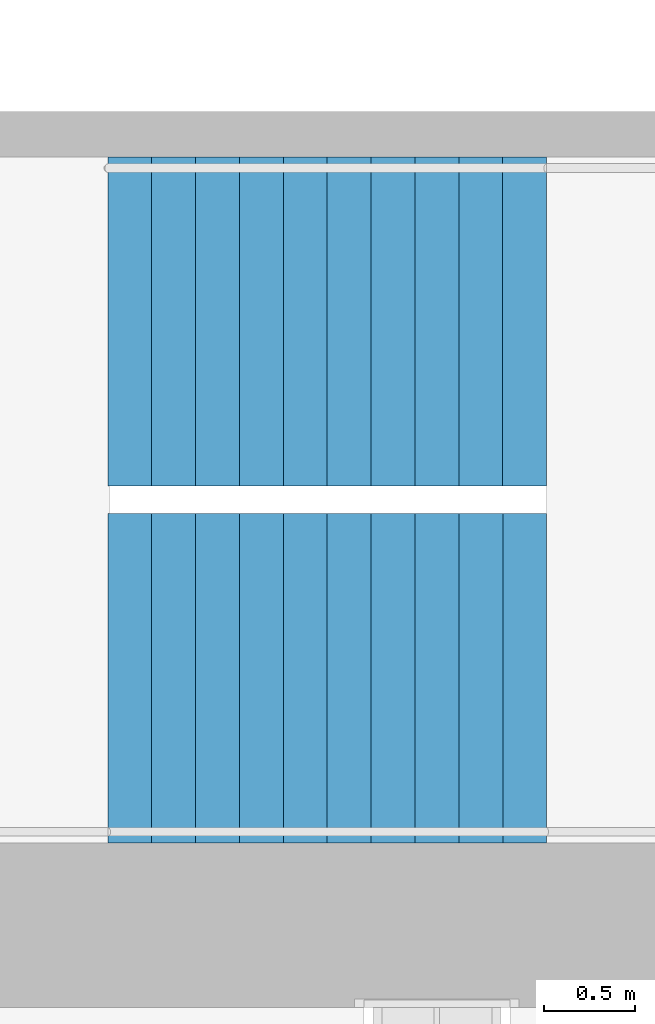
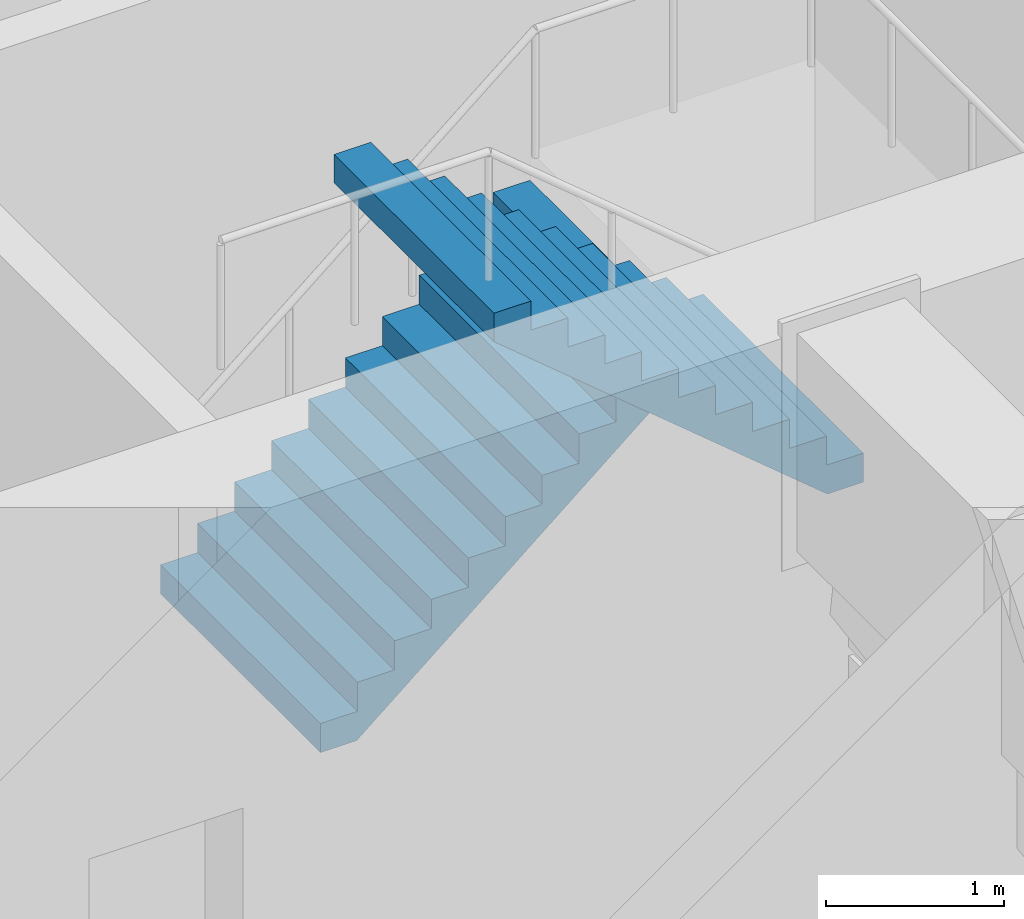
# One storey, part 27 of 30: 2 stair flights, 1 element without a shape of its own.
"""IFC4 building model written with IfcOpenShell, lengths in metres."""

from ifc_helpers import new_model, si_unit, direction, frame, origin, place, context, subcontext, project, spatial, triangles, material, type_object, element, aggregate, save


model = new_model("IFC4")

# Units and contexts
model_context = context("Model", 3, precision=1e-05, world=origin(), true_north=direction((0.0, 1.0)))
body_context = subcontext(model_context, "Body", "Model", "MODEL_VIEW")
ifc_project = project(units=[si_unit("LENGTHUNIT", "METRE"), si_unit("AREAUNIT", "SQUARE_METRE"), si_unit("VOLUMEUNIT", "CUBIC_METRE"), si_unit("PLANEANGLEUNIT", "RADIAN"), si_unit("MASSUNIT", "GRAM", prefix="KILO")], contexts=[model_context])

# Site, building, storey
site_placement = place(None, origin())
site = spatial("IfcSite", under=ifc_project, at=site_placement, CompositionType="ELEMENT")
building_placement = place(site_placement, origin())
building = spatial("IfcBuilding", under=site, at=building_placement, Name="Hakoniwa Tower and Hamabe Station Hall", CompositionType="ELEMENT")
storey_placement = place(building_placement, frame((0.0, 0.0, 64.60009765625)))
storey = spatial("IfcBuildingStorey", under=building, at=storey_placement, Name="L18", CompositionType="ELEMENT", Elevation=64.60009765625)

# Stair, stair flights
ifc_material_1 = material(Name="Concrete C40", Category="concrete")
stair_type = type_object("IfcStairType", Name="ESCAPE STAIR 1800", PredefinedType="HALF_TURN_STAIR", material=ifc_material_1)
stair_placement = place(storey_placement, origin())
stair = element("IfcStair", 1, at=stair_placement, inside=storey, type_object=stair_type, Name="Escape stair ST-4 L18", PredefinedType="HALF_TURN_STAIR")
ifc_material_2 = material(Name="Concrete C40", Category="concrete")
stair_flight_type = type_object("IfcStairFlightType", Name="STAIR FLIGHT 1800", PredefinedType="STRAIGHT", material=ifc_material_2)
stair_flight_1_placement = place(storey_placement, frame((23.39990234375, -4.64990234375, 0.0), z_axis=(0.0, 0.0, 1.0), x_axis=(1.0, 0.0, 0.0)))
stair_flight_1 = element("IfcStairFlight", 2, at=stair_flight_1_placement, type_object=stair_flight_type, Name="ST-4 flight 1", NumberOfRisers=11, NumberOfTreads=10, PredefinedType="STRAIGHT", RiserHeight=0.2, TreadLength=0.24, context=body_context, shape_type="Tessellation", body=[
    triangles([(0.0, 0.89990234375, 0.0), (0.234130859375, 0.89990234375, 0.0), (0.239990234375, 0.89990234375, 0.0048828125), (0.47998046875, 0.89990234375, 0.204833984375), (0.719970703125, 0.89990234375, 0.40478515625), (0.9599609375, 0.89990234375, 0.60498046875), (1.199951171875, 0.89990234375, 0.804931640625), (1.43994140625, 0.89990234375, 1.0048828125), (1.679931640625, 0.89990234375, 1.204833984375), (1.919921875, 0.89990234375, 1.40478515625), (2.159912109375, 0.89990234375, 1.60498046875), (2.39990234375, 0.89990234375, 1.804931640625), (2.39990234375, 0.89990234375, 2.0), (2.159912109375, 0.89990234375, 2.0), (2.159912109375, 0.89990234375, 1.800048828125), (1.919921875, 0.89990234375, 1.800048828125), (1.919921875, 0.89990234375, 1.60009765625), (1.679931640625, 0.89990234375, 1.60009765625), (1.679931640625, 0.89990234375, 1.39990234375), (1.43994140625, 0.89990234375, 1.39990234375), (1.43994140625, 0.89990234375, 1.199951171875), (1.199951171875, 0.89990234375, 1.199951171875), (1.199951171875, 0.89990234375, 1.0), (0.9599609375, 0.89990234375, 1.0), (0.9599609375, 0.89990234375, 0.800048828125), (0.719970703125, 0.89990234375, 0.800048828125), (0.719970703125, 0.89990234375, 0.60009765625), (0.47998046875, 0.89990234375, 0.60009765625), (0.47998046875, 0.89990234375, 0.39990234375), (0.239990234375, 0.89990234375, 0.39990234375), (0.239990234375, 0.89990234375, 0.199951171875), (0.234130859375, 0.89990234375, 0.199951171875), (0.0, 0.89990234375, 0.199951171875), (0.0, 0.06005859375, 0.0), (0.234130859375, 0.06005859375, 0.0), (0.239990234375, 0.06005859375, 0.0048828125), (0.47998046875, 0.06005859375, 0.204833984375), (0.719970703125, 0.06005859375, 0.40478515625), (0.9599609375, 0.06005859375, 0.60498046875), (1.199951171875, 0.06005859375, 0.804931640625), (1.43994140625, 0.06005859375, 1.0048828125), (1.679931640625, 0.06005859375, 1.204833984375), (1.919921875, 0.06005859375, 1.40478515625), (2.159912109375, 0.06005859375, 1.60498046875), (2.39990234375, 0.06005859375, 1.804931640625), (2.39990234375, 0.06005859375, 2.0), (2.159912109375, 0.06005859375, 2.0), (2.159912109375, 0.06005859375, 1.800048828125), (1.919921875, 0.06005859375, 1.800048828125), (1.919921875, 0.06005859375, 1.60009765625), (1.679931640625, 0.06005859375, 1.60009765625), (1.679931640625, 0.06005859375, 1.39990234375), (1.43994140625, 0.06005859375, 1.39990234375), (1.43994140625, 0.06005859375, 1.199951171875), (1.199951171875, 0.06005859375, 1.199951171875), (1.199951171875, 0.06005859375, 1.0), (0.9599609375, 0.06005859375, 1.0), (0.9599609375, 0.06005859375, 0.800048828125), (0.719970703125, 0.06005859375, 0.800048828125), (0.719970703125, 0.06005859375, 0.60009765625), (0.47998046875, 0.06005859375, 0.60009765625), (0.47998046875, 0.06005859375, 0.39990234375), (0.239990234375, 0.06005859375, 0.39990234375), (0.239990234375, 0.06005859375, 0.199951171875), (0.234130859375, 0.06005859375, 0.199951171875), (0.0, 0.06005859375, 0.199951171875), (0.0, 0.02001953125, 0.0), (0.234130859375, 0.02001953125, 0.0), (0.239990234375, 0.02001953125, 0.0048828125), (0.47998046875, 0.02001953125, 0.204833984375), (0.719970703125, 0.02001953125, 0.40478515625), (0.9599609375, 0.02001953125, 0.60498046875), (1.199951171875, 0.02001953125, 0.804931640625), (1.43994140625, 0.02001953125, 1.0048828125), (1.679931640625, 0.02001953125, 1.204833984375), (1.919921875, 0.02001953125, 1.40478515625), (2.159912109375, 0.02001953125, 1.60498046875), (2.39990234375, 0.02001953125, 1.804931640625), (2.39990234375, 0.02001953125, 2.0), (2.159912109375, 0.02001953125, 2.0), (2.159912109375, 0.02001953125, 1.800048828125), (1.919921875, 0.02001953125, 1.800048828125), (1.919921875, 0.02001953125, 1.60009765625), (1.679931640625, 0.02001953125, 1.60009765625), (1.679931640625, 0.02001953125, 1.39990234375), (1.43994140625, 0.02001953125, 1.39990234375), (1.43994140625, 0.02001953125, 1.199951171875), (1.199951171875, 0.02001953125, 1.199951171875), (1.199951171875, 0.02001953125, 1.0), (0.9599609375, 0.02001953125, 1.0), (0.9599609375, 0.02001953125, 0.800048828125), (0.719970703125, 0.02001953125, 0.800048828125), (0.719970703125, 0.02001953125, 0.60009765625), (0.47998046875, 0.02001953125, 0.60009765625), (0.47998046875, 0.02001953125, 0.39990234375), (0.239990234375, 0.02001953125, 0.39990234375), (0.239990234375, 0.02001953125, 0.199951171875), (0.234130859375, 0.02001953125, 0.199951171875), (0.0, 0.02001953125, 0.199951171875), (0.0, -0.02001953125, 0.0), (0.234130859375, -0.02001953125, 0.0), (0.239990234375, -0.02001953125, 0.0048828125), (0.47998046875, -0.02001953125, 0.204833984375), (0.719970703125, -0.02001953125, 0.40478515625), (0.9599609375, -0.02001953125, 0.60498046875), (1.199951171875, -0.02001953125, 0.804931640625), (1.43994140625, -0.02001953125, 1.0048828125), (1.679931640625, -0.02001953125, 1.204833984375), (1.919921875, -0.02001953125, 1.40478515625), (2.159912109375, -0.02001953125, 1.60498046875), (2.39990234375, -0.02001953125, 1.804931640625), (2.39990234375, -0.02001953125, 2.0), (2.159912109375, -0.02001953125, 2.0), (2.159912109375, -0.02001953125, 1.800048828125), (1.919921875, -0.02001953125, 1.800048828125), (1.919921875, -0.02001953125, 1.60009765625), (1.679931640625, -0.02001953125, 1.60009765625), (1.679931640625, -0.02001953125, 1.39990234375), (1.43994140625, -0.02001953125, 1.39990234375), (1.43994140625, -0.02001953125, 1.199951171875), (1.199951171875, -0.02001953125, 1.199951171875), (1.199951171875, -0.02001953125, 1.0), (0.9599609375, -0.02001953125, 1.0), (0.9599609375, -0.02001953125, 0.800048828125), (0.719970703125, -0.02001953125, 0.800048828125), (0.719970703125, -0.02001953125, 0.60009765625), (0.47998046875, -0.02001953125, 0.60009765625), (0.47998046875, -0.02001953125, 0.39990234375), (0.239990234375, -0.02001953125, 0.39990234375), (0.239990234375, -0.02001953125, 0.199951171875), (0.234130859375, -0.02001953125, 0.199951171875), (0.0, -0.02001953125, 0.199951171875), (0.0, -0.06005859375, 0.0), (0.234130859375, -0.06005859375, 0.0), (0.239990234375, -0.06005859375, 0.0048828125), (0.47998046875, -0.06005859375, 0.204833984375), (0.719970703125, -0.06005859375, 0.40478515625), (0.9599609375, -0.06005859375, 0.60498046875), (1.199951171875, -0.06005859375, 0.804931640625), (1.43994140625, -0.06005859375, 1.0048828125), (1.679931640625, -0.06005859375, 1.204833984375), (1.919921875, -0.06005859375, 1.40478515625), (2.159912109375, -0.06005859375, 1.60498046875), (2.39990234375, -0.06005859375, 1.804931640625), (2.39990234375, -0.06005859375, 2.0), (2.159912109375, -0.06005859375, 2.0), (2.159912109375, -0.06005859375, 1.800048828125), (1.919921875, -0.06005859375, 1.800048828125), (1.919921875, -0.06005859375, 1.60009765625), (1.679931640625, -0.06005859375, 1.60009765625), (1.679931640625, -0.06005859375, 1.39990234375), (1.43994140625, -0.06005859375, 1.39990234375), (1.43994140625, -0.06005859375, 1.199951171875), (1.199951171875, -0.06005859375, 1.199951171875), (1.199951171875, -0.06005859375, 1.0), (0.9599609375, -0.06005859375, 1.0), (0.9599609375, -0.06005859375, 0.800048828125), (0.719970703125, -0.06005859375, 0.800048828125), (0.719970703125, -0.06005859375, 0.60009765625), (0.47998046875, -0.06005859375, 0.60009765625), (0.47998046875, -0.06005859375, 0.39990234375), (0.239990234375, -0.06005859375, 0.39990234375), (0.239990234375, -0.06005859375, 0.199951171875), (0.234130859375, -0.06005859375, 0.199951171875), (0.0, -0.06005859375, 0.199951171875), (0.0, -0.89990234375, 0.0), (0.234130859375, -0.89990234375, 0.0), (0.239990234375, -0.89990234375, 0.0048828125), (0.47998046875, -0.89990234375, 0.204833984375), (0.719970703125, -0.89990234375, 0.40478515625), (0.9599609375, -0.89990234375, 0.60498046875), (1.199951171875, -0.89990234375, 0.804931640625), (1.43994140625, -0.89990234375, 1.0048828125), (1.679931640625, -0.89990234375, 1.204833984375), (1.919921875, -0.89990234375, 1.40478515625), (2.159912109375, -0.89990234375, 1.60498046875), (2.39990234375, -0.89990234375, 1.804931640625), (2.39990234375, -0.89990234375, 2.0), (2.159912109375, -0.89990234375, 2.0), (2.159912109375, -0.89990234375, 1.800048828125), (1.919921875, -0.89990234375, 1.800048828125), (1.919921875, -0.89990234375, 1.60009765625), (1.679931640625, -0.89990234375, 1.60009765625), (1.679931640625, -0.89990234375, 1.39990234375), (1.43994140625, -0.89990234375, 1.39990234375), (1.43994140625, -0.89990234375, 1.199951171875), (1.199951171875, -0.89990234375, 1.199951171875), (1.199951171875, -0.89990234375, 1.0), (0.9599609375, -0.89990234375, 1.0), (0.9599609375, -0.89990234375, 0.800048828125), (0.719970703125, -0.89990234375, 0.800048828125), (0.719970703125, -0.89990234375, 0.60009765625), (0.47998046875, -0.89990234375, 0.60009765625), (0.47998046875, -0.89990234375, 0.39990234375), (0.239990234375, -0.89990234375, 0.39990234375), (0.239990234375, -0.89990234375, 0.199951171875), (0.234130859375, -0.89990234375, 0.199951171875), (0.0, -0.89990234375, 0.199951171875)], [[2, 33, 32], [167, 197, 198], [2, 1, 33], [167, 198, 166], [3, 32, 31], [168, 196, 197], [3, 2, 32], [168, 197, 167], [4, 30, 29], [169, 194, 195], [4, 31, 30], [169, 195, 196], [4, 3, 31], [169, 196, 168], [5, 28, 27], [170, 192, 193], [5, 29, 28], [170, 193, 194], [5, 4, 29], [170, 194, 169], [6, 26, 25], [171, 190, 191], [6, 27, 26], [171, 191, 192], [6, 5, 27], [171, 192, 170], [7, 24, 23], [172, 188, 189], [7, 25, 24], [172, 189, 190], [7, 6, 25], [172, 190, 171], [8, 22, 21], [173, 186, 187], [8, 23, 22], [173, 187, 188], [8, 7, 23], [173, 188, 172], [9, 20, 19], [174, 184, 185], [9, 21, 20], [174, 185, 186], [9, 8, 21], [174, 186, 173], [10, 18, 17], [175, 182, 183], [10, 19, 18], [175, 183, 184], [10, 9, 19], [175, 184, 174], [11, 16, 15], [176, 180, 181], [11, 17, 16], [176, 181, 182], [11, 10, 17], [176, 182, 175], [12, 14, 13], [177, 178, 179], [12, 15, 14], [177, 179, 180], [12, 11, 15], [177, 180, 176], [1, 2, 35], [1, 35, 34], [34, 35, 68], [34, 68, 67], [67, 68, 101], [67, 101, 100], [100, 101, 134], [100, 134, 133], [133, 134, 167], [133, 167, 166], [2, 3, 36], [2, 36, 35], [35, 36, 69], [35, 69, 68], [68, 69, 102], [68, 102, 101], [101, 102, 135], [101, 135, 134], [134, 135, 168], [134, 168, 167], [3, 4, 37], [3, 37, 36], [36, 37, 70], [36, 70, 69], [69, 70, 103], [69, 103, 102], [102, 103, 136], [102, 136, 135], [135, 136, 169], [135, 169, 168], [4, 5, 38], [4, 38, 37], [37, 38, 71], [37, 71, 70], [70, 71, 104], [70, 104, 103], [103, 104, 137], [103, 137, 136], [136, 137, 170], [136, 170, 169], [5, 6, 39], [5, 39, 38], [38, 39, 72], [38, 72, 71], [71, 72, 105], [71, 105, 104], [104, 105, 138], [104, 138, 137], [137, 138, 171], [137, 171, 170], [6, 7, 40], [6, 40, 39], [39, 40, 73], [39, 73, 72], [72, 73, 106], [72, 106, 105], [105, 106, 139], [105, 139, 138], [138, 139, 172], [138, 172, 171], [7, 8, 41], [7, 41, 40], [40, 41, 74], [40, 74, 73], [73, 74, 107], [73, 107, 106], [106, 107, 140], [106, 140, 139], [139, 140, 173], [139, 173, 172], [8, 9, 42], [8, 42, 41], [41, 42, 75], [41, 75, 74], [74, 75, 108], [74, 108, 107], [107, 108, 141], [107, 141, 140], [140, 141, 174], [140, 174, 173], [9, 10, 43], [9, 43, 42], [42, 43, 76], [42, 76, 75], [75, 76, 109], [75, 109, 108], [108, 109, 142], [108, 142, 141], [141, 142, 175], [141, 175, 174], [10, 11, 44], [10, 44, 43], [43, 44, 77], [43, 77, 76], [76, 77, 110], [76, 110, 109], [109, 110, 143], [109, 143, 142], [142, 143, 176], [142, 176, 175], [11, 12, 45], [11, 45, 44], [44, 45, 78], [44, 78, 77], [77, 78, 111], [77, 111, 110], [110, 111, 144], [110, 144, 143], [143, 144, 177], [143, 177, 176], [12, 13, 46], [12, 46, 45], [45, 46, 79], [45, 79, 78], [78, 79, 112], [78, 112, 111], [111, 112, 145], [111, 145, 144], [144, 145, 178], [144, 178, 177], [13, 14, 47], [13, 47, 46], [46, 47, 80], [46, 80, 79], [79, 80, 113], [79, 113, 112], [112, 113, 146], [112, 146, 145], [145, 146, 179], [145, 179, 178], [14, 15, 48], [14, 48, 47], [47, 48, 81], [47, 81, 80], [80, 81, 114], [80, 114, 113], [113, 114, 147], [113, 147, 146], [146, 147, 180], [146, 180, 179], [15, 16, 49], [15, 49, 48], [48, 49, 82], [48, 82, 81], [81, 82, 115], [81, 115, 114], [114, 115, 148], [114, 148, 147], [147, 148, 181], [147, 181, 180], [16, 17, 50], [16, 50, 49], [49, 50, 83], [49, 83, 82], [82, 83, 116], [82, 116, 115], [115, 116, 149], [115, 149, 148], [148, 149, 182], [148, 182, 181], [17, 18, 51], [17, 51, 50], [50, 51, 84], [50, 84, 83], [83, 84, 117], [83, 117, 116], [116, 117, 150], [116, 150, 149], [149, 150, 183], [149, 183, 182], [18, 19, 52], [18, 52, 51], [51, 52, 85], [51, 85, 84], [84, 85, 118], [84, 118, 117], [117, 118, 151], [117, 151, 150], [150, 151, 184], [150, 184, 183], [19, 20, 53], [19, 53, 52], [52, 53, 86], [52, 86, 85], [85, 86, 119], [85, 119, 118], [118, 119, 152], [118, 152, 151], [151, 152, 185], [151, 185, 184], [20, 21, 54], [20, 54, 53], [53, 54, 87], [53, 87, 86], [86, 87, 120], [86, 120, 119], [119, 120, 153], [119, 153, 152], [152, 153, 186], [152, 186, 185], [21, 22, 55], [21, 55, 54], [54, 55, 88], [54, 88, 87], [87, 88, 121], [87, 121, 120], [120, 121, 154], [120, 154, 153], [153, 154, 187], [153, 187, 186], [22, 23, 56], [22, 56, 55], [55, 56, 89], [55, 89, 88], [88, 89, 122], [88, 122, 121], [121, 122, 155], [121, 155, 154], [154, 155, 188], [154, 188, 187], [23, 24, 57], [23, 57, 56], [56, 57, 90], [56, 90, 89], [89, 90, 123], [89, 123, 122], [122, 123, 156], [122, 156, 155], [155, 156, 189], [155, 189, 188], [24, 25, 58], [24, 58, 57], [57, 58, 91], [57, 91, 90], [90, 91, 124], [90, 124, 123], [123, 124, 157], [123, 157, 156], [156, 157, 190], [156, 190, 189], [25, 26, 59], [25, 59, 58], [58, 59, 92], [58, 92, 91], [91, 92, 125], [91, 125, 124], [124, 125, 158], [124, 158, 157], [157, 158, 191], [157, 191, 190], [26, 27, 60], [26, 60, 59], [59, 60, 93], [59, 93, 92], [92, 93, 126], [92, 126, 125], [125, 126, 159], [125, 159, 158], [158, 159, 192], [158, 192, 191], [27, 28, 61], [27, 61, 60], [60, 61, 94], [60, 94, 93], [93, 94, 127], [93, 127, 126], [126, 127, 160], [126, 160, 159], [159, 160, 193], [159, 193, 192], [28, 29, 62], [28, 62, 61], [61, 62, 95], [61, 95, 94], [94, 95, 128], [94, 128, 127], [127, 128, 161], [127, 161, 160], [160, 161, 194], [160, 194, 193], [29, 30, 63], [29, 63, 62], [62, 63, 96], [62, 96, 95], [95, 96, 129], [95, 129, 128], [128, 129, 162], [128, 162, 161], [161, 162, 195], [161, 195, 194], [30, 31, 64], [30, 64, 63], [63, 64, 97], [63, 97, 96], [96, 97, 130], [96, 130, 129], [129, 130, 163], [129, 163, 162], [162, 163, 196], [162, 196, 195], [31, 32, 65], [31, 65, 64], [64, 65, 98], [64, 98, 97], [97, 98, 131], [97, 131, 130], [130, 131, 164], [130, 164, 163], [163, 164, 197], [163, 197, 196], [32, 33, 66], [32, 66, 65], [65, 66, 99], [65, 99, 98], [98, 99, 132], [98, 132, 131], [131, 132, 165], [131, 165, 164], [164, 165, 198], [164, 198, 197], [33, 1, 34], [33, 34, 66], [66, 34, 67], [66, 67, 99], [99, 67, 100], [99, 100, 132], [132, 100, 133], [132, 133, 165], [165, 133, 166], [165, 166, 198]], closed=True),
])
stair_flight_2_placement = place(storey_placement, frame((25.800048828125, -6.60009765625, 2.199951171875), z_axis=(0.0, 0.0, 1.0), x_axis=(-1.0, 0.0, 0.0)))
stair_flight_2 = element("IfcStairFlight", 3, at=stair_flight_2_placement, type_object=stair_flight_type, Name="ST-4 flight 2", NumberOfRisers=11, NumberOfTreads=10, PredefinedType="STRAIGHT", RiserHeight=0.2, TreadLength=0.24, context=body_context, shape_type="Tessellation", body=[
    triangles([(0.0, 0.89990234375, 0.0), (0.234130859375, 0.89990234375, 0.0), (0.239990234375, 0.89990234375, 0.0048828125), (0.47998046875, 0.89990234375, 0.204833984375), (0.719970703125, 0.89990234375, 0.40478515625), (0.9599609375, 0.89990234375, 0.60498046875), (1.199951171875, 0.89990234375, 0.804931640625), (1.43994140625, 0.89990234375, 1.0048828125), (1.679931640625, 0.89990234375, 1.204833984375), (1.919921875, 0.89990234375, 1.40478515625), (2.159912109375, 0.89990234375, 1.60498046875), (2.39990234375, 0.89990234375, 1.804931640625), (2.39990234375, 0.89990234375, 2.0), (2.159912109375, 0.89990234375, 2.0), (2.159912109375, 0.89990234375, 1.800048828125), (1.919921875, 0.89990234375, 1.800048828125), (1.919921875, 0.89990234375, 1.60009765625), (1.679931640625, 0.89990234375, 1.60009765625), (1.679931640625, 0.89990234375, 1.39990234375), (1.43994140625, 0.89990234375, 1.39990234375), (1.43994140625, 0.89990234375, 1.199951171875), (1.199951171875, 0.89990234375, 1.199951171875), (1.199951171875, 0.89990234375, 1.0), (0.9599609375, 0.89990234375, 1.0), (0.9599609375, 0.89990234375, 0.800048828125), (0.719970703125, 0.89990234375, 0.800048828125), (0.719970703125, 0.89990234375, 0.60009765625), (0.47998046875, 0.89990234375, 0.60009765625), (0.47998046875, 0.89990234375, 0.39990234375), (0.239990234375, 0.89990234375, 0.39990234375), (0.239990234375, 0.89990234375, 0.199951171875), (0.234130859375, 0.89990234375, 0.199951171875), (0.0, 0.89990234375, 0.199951171875), (0.0, 0.06005859375, 0.0), (0.234130859375, 0.06005859375, 0.0), (0.239990234375, 0.06005859375, 0.0048828125), (0.47998046875, 0.06005859375, 0.204833984375), (0.719970703125, 0.06005859375, 0.40478515625), (0.9599609375, 0.06005859375, 0.60498046875), (1.199951171875, 0.06005859375, 0.804931640625), (1.43994140625, 0.06005859375, 1.0048828125), (1.679931640625, 0.06005859375, 1.204833984375), (1.919921875, 0.06005859375, 1.40478515625), (2.159912109375, 0.06005859375, 1.60498046875), (2.39990234375, 0.06005859375, 1.804931640625), (2.39990234375, 0.06005859375, 2.0), (2.159912109375, 0.06005859375, 2.0), (2.159912109375, 0.06005859375, 1.800048828125), (1.919921875, 0.06005859375, 1.800048828125), (1.919921875, 0.06005859375, 1.60009765625), (1.679931640625, 0.06005859375, 1.60009765625), (1.679931640625, 0.06005859375, 1.39990234375), (1.43994140625, 0.06005859375, 1.39990234375), (1.43994140625, 0.06005859375, 1.199951171875), (1.199951171875, 0.06005859375, 1.199951171875), (1.199951171875, 0.06005859375, 1.0), (0.9599609375, 0.06005859375, 1.0), (0.9599609375, 0.06005859375, 0.800048828125), (0.719970703125, 0.06005859375, 0.800048828125), (0.719970703125, 0.06005859375, 0.60009765625), (0.47998046875, 0.06005859375, 0.60009765625), (0.47998046875, 0.06005859375, 0.39990234375), (0.239990234375, 0.06005859375, 0.39990234375), (0.239990234375, 0.06005859375, 0.199951171875), (0.234130859375, 0.06005859375, 0.199951171875), (0.0, 0.06005859375, 0.199951171875), (0.0, 0.02001953125, 0.0), (0.234130859375, 0.02001953125, 0.0), (0.239990234375, 0.02001953125, 0.0048828125), (0.47998046875, 0.02001953125, 0.204833984375), (0.719970703125, 0.02001953125, 0.40478515625), (0.9599609375, 0.02001953125, 0.60498046875), (1.199951171875, 0.02001953125, 0.804931640625), (1.43994140625, 0.02001953125, 1.0048828125), (1.679931640625, 0.02001953125, 1.204833984375), (1.919921875, 0.02001953125, 1.40478515625), (2.159912109375, 0.02001953125, 1.60498046875), (2.39990234375, 0.02001953125, 1.804931640625), (2.39990234375, 0.02001953125, 2.0), (2.159912109375, 0.02001953125, 2.0), (2.159912109375, 0.02001953125, 1.800048828125), (1.919921875, 0.02001953125, 1.800048828125), (1.919921875, 0.02001953125, 1.60009765625), (1.679931640625, 0.02001953125, 1.60009765625), (1.679931640625, 0.02001953125, 1.39990234375), (1.43994140625, 0.02001953125, 1.39990234375), (1.43994140625, 0.02001953125, 1.199951171875), (1.199951171875, 0.02001953125, 1.199951171875), (1.199951171875, 0.02001953125, 1.0), (0.9599609375, 0.02001953125, 1.0), (0.9599609375, 0.02001953125, 0.800048828125), (0.719970703125, 0.02001953125, 0.800048828125), (0.719970703125, 0.02001953125, 0.60009765625), (0.47998046875, 0.02001953125, 0.60009765625), (0.47998046875, 0.02001953125, 0.39990234375), (0.239990234375, 0.02001953125, 0.39990234375), (0.239990234375, 0.02001953125, 0.199951171875), (0.234130859375, 0.02001953125, 0.199951171875), (0.0, 0.02001953125, 0.199951171875), (0.0, -0.02001953125, 0.0), (0.234130859375, -0.02001953125, 0.0), (0.239990234375, -0.02001953125, 0.0048828125), (0.47998046875, -0.02001953125, 0.204833984375), (0.719970703125, -0.02001953125, 0.40478515625), (0.9599609375, -0.02001953125, 0.60498046875), (1.199951171875, -0.02001953125, 0.804931640625), (1.43994140625, -0.02001953125, 1.0048828125), (1.679931640625, -0.02001953125, 1.204833984375), (1.919921875, -0.02001953125, 1.40478515625), (2.159912109375, -0.02001953125, 1.60498046875), (2.39990234375, -0.02001953125, 1.804931640625), (2.39990234375, -0.02001953125, 2.0), (2.159912109375, -0.02001953125, 2.0), (2.159912109375, -0.02001953125, 1.800048828125), (1.919921875, -0.02001953125, 1.800048828125), (1.919921875, -0.02001953125, 1.60009765625), (1.679931640625, -0.02001953125, 1.60009765625), (1.679931640625, -0.02001953125, 1.39990234375), (1.43994140625, -0.02001953125, 1.39990234375), (1.43994140625, -0.02001953125, 1.199951171875), (1.199951171875, -0.02001953125, 1.199951171875), (1.199951171875, -0.02001953125, 1.0), (0.9599609375, -0.02001953125, 1.0), (0.9599609375, -0.02001953125, 0.800048828125), (0.719970703125, -0.02001953125, 0.800048828125), (0.719970703125, -0.02001953125, 0.60009765625), (0.47998046875, -0.02001953125, 0.60009765625), (0.47998046875, -0.02001953125, 0.39990234375), (0.239990234375, -0.02001953125, 0.39990234375), (0.239990234375, -0.02001953125, 0.199951171875), (0.234130859375, -0.02001953125, 0.199951171875), (0.0, -0.02001953125, 0.199951171875), (0.0, -0.06005859375, 0.0), (0.234130859375, -0.06005859375, 0.0), (0.239990234375, -0.06005859375, 0.0048828125), (0.47998046875, -0.06005859375, 0.204833984375), (0.719970703125, -0.06005859375, 0.40478515625), (0.9599609375, -0.06005859375, 0.60498046875), (1.199951171875, -0.06005859375, 0.804931640625), (1.43994140625, -0.06005859375, 1.0048828125), (1.679931640625, -0.06005859375, 1.204833984375), (1.919921875, -0.06005859375, 1.40478515625), (2.159912109375, -0.06005859375, 1.60498046875), (2.39990234375, -0.06005859375, 1.804931640625), (2.39990234375, -0.06005859375, 2.0), (2.159912109375, -0.06005859375, 2.0), (2.159912109375, -0.06005859375, 1.800048828125), (1.919921875, -0.06005859375, 1.800048828125), (1.919921875, -0.06005859375, 1.60009765625), (1.679931640625, -0.06005859375, 1.60009765625), (1.679931640625, -0.06005859375, 1.39990234375), (1.43994140625, -0.06005859375, 1.39990234375), (1.43994140625, -0.06005859375, 1.199951171875), (1.199951171875, -0.06005859375, 1.199951171875), (1.199951171875, -0.06005859375, 1.0), (0.9599609375, -0.06005859375, 1.0), (0.9599609375, -0.06005859375, 0.800048828125), (0.719970703125, -0.06005859375, 0.800048828125), (0.719970703125, -0.06005859375, 0.60009765625), (0.47998046875, -0.06005859375, 0.60009765625), (0.47998046875, -0.06005859375, 0.39990234375), (0.239990234375, -0.06005859375, 0.39990234375), (0.239990234375, -0.06005859375, 0.199951171875), (0.234130859375, -0.06005859375, 0.199951171875), (0.0, -0.06005859375, 0.199951171875), (0.0, -0.89990234375, 0.0), (0.234130859375, -0.89990234375, 0.0), (0.239990234375, -0.89990234375, 0.0048828125), (0.47998046875, -0.89990234375, 0.204833984375), (0.719970703125, -0.89990234375, 0.40478515625), (0.9599609375, -0.89990234375, 0.60498046875), (1.199951171875, -0.89990234375, 0.804931640625), (1.43994140625, -0.89990234375, 1.0048828125), (1.679931640625, -0.89990234375, 1.204833984375), (1.919921875, -0.89990234375, 1.40478515625), (2.159912109375, -0.89990234375, 1.60498046875), (2.39990234375, -0.89990234375, 1.804931640625), (2.39990234375, -0.89990234375, 2.0), (2.159912109375, -0.89990234375, 2.0), (2.159912109375, -0.89990234375, 1.800048828125), (1.919921875, -0.89990234375, 1.800048828125), (1.919921875, -0.89990234375, 1.60009765625), (1.679931640625, -0.89990234375, 1.60009765625), (1.679931640625, -0.89990234375, 1.39990234375), (1.43994140625, -0.89990234375, 1.39990234375), (1.43994140625, -0.89990234375, 1.199951171875), (1.199951171875, -0.89990234375, 1.199951171875), (1.199951171875, -0.89990234375, 1.0), (0.9599609375, -0.89990234375, 1.0), (0.9599609375, -0.89990234375, 0.800048828125), (0.719970703125, -0.89990234375, 0.800048828125), (0.719970703125, -0.89990234375, 0.60009765625), (0.47998046875, -0.89990234375, 0.60009765625), (0.47998046875, -0.89990234375, 0.39990234375), (0.239990234375, -0.89990234375, 0.39990234375), (0.239990234375, -0.89990234375, 0.199951171875), (0.234130859375, -0.89990234375, 0.199951171875), (0.0, -0.89990234375, 0.199951171875)], [[2, 33, 32], [167, 197, 198], [2, 1, 33], [167, 198, 166], [3, 32, 31], [168, 196, 197], [3, 2, 32], [168, 197, 167], [4, 30, 29], [169, 194, 195], [4, 31, 30], [169, 195, 196], [4, 3, 31], [169, 196, 168], [5, 28, 27], [170, 192, 193], [5, 29, 28], [170, 193, 194], [5, 4, 29], [170, 194, 169], [6, 26, 25], [171, 190, 191], [6, 27, 26], [171, 191, 192], [6, 5, 27], [171, 192, 170], [7, 24, 23], [172, 188, 189], [7, 25, 24], [172, 189, 190], [7, 6, 25], [172, 190, 171], [8, 22, 21], [173, 186, 187], [8, 23, 22], [173, 187, 188], [8, 7, 23], [173, 188, 172], [9, 20, 19], [174, 184, 185], [9, 21, 20], [174, 185, 186], [9, 8, 21], [174, 186, 173], [10, 18, 17], [175, 182, 183], [10, 19, 18], [175, 183, 184], [10, 9, 19], [175, 184, 174], [11, 16, 15], [176, 180, 181], [11, 17, 16], [176, 181, 182], [11, 10, 17], [176, 182, 175], [12, 14, 13], [177, 178, 179], [12, 15, 14], [177, 179, 180], [12, 11, 15], [177, 180, 176], [1, 2, 35], [1, 35, 34], [34, 35, 68], [34, 68, 67], [67, 68, 101], [67, 101, 100], [100, 101, 134], [100, 134, 133], [133, 134, 167], [133, 167, 166], [2, 3, 36], [2, 36, 35], [35, 36, 69], [35, 69, 68], [68, 69, 102], [68, 102, 101], [101, 102, 135], [101, 135, 134], [134, 135, 168], [134, 168, 167], [3, 4, 37], [3, 37, 36], [36, 37, 70], [36, 70, 69], [69, 70, 103], [69, 103, 102], [102, 103, 136], [102, 136, 135], [135, 136, 169], [135, 169, 168], [4, 5, 38], [4, 38, 37], [37, 38, 71], [37, 71, 70], [70, 71, 104], [70, 104, 103], [103, 104, 137], [103, 137, 136], [136, 137, 170], [136, 170, 169], [5, 6, 39], [5, 39, 38], [38, 39, 72], [38, 72, 71], [71, 72, 105], [71, 105, 104], [104, 105, 138], [104, 138, 137], [137, 138, 171], [137, 171, 170], [6, 7, 40], [6, 40, 39], [39, 40, 73], [39, 73, 72], [72, 73, 106], [72, 106, 105], [105, 106, 139], [105, 139, 138], [138, 139, 172], [138, 172, 171], [7, 8, 41], [7, 41, 40], [40, 41, 74], [40, 74, 73], [73, 74, 107], [73, 107, 106], [106, 107, 140], [106, 140, 139], [139, 140, 173], [139, 173, 172], [8, 9, 42], [8, 42, 41], [41, 42, 75], [41, 75, 74], [74, 75, 108], [74, 108, 107], [107, 108, 141], [107, 141, 140], [140, 141, 174], [140, 174, 173], [9, 10, 43], [9, 43, 42], [42, 43, 76], [42, 76, 75], [75, 76, 109], [75, 109, 108], [108, 109, 142], [108, 142, 141], [141, 142, 175], [141, 175, 174], [10, 11, 44], [10, 44, 43], [43, 44, 77], [43, 77, 76], [76, 77, 110], [76, 110, 109], [109, 110, 143], [109, 143, 142], [142, 143, 176], [142, 176, 175], [11, 12, 45], [11, 45, 44], [44, 45, 78], [44, 78, 77], [77, 78, 111], [77, 111, 110], [110, 111, 144], [110, 144, 143], [143, 144, 177], [143, 177, 176], [12, 13, 46], [12, 46, 45], [45, 46, 79], [45, 79, 78], [78, 79, 112], [78, 112, 111], [111, 112, 145], [111, 145, 144], [144, 145, 178], [144, 178, 177], [13, 14, 47], [13, 47, 46], [46, 47, 80], [46, 80, 79], [79, 80, 113], [79, 113, 112], [112, 113, 146], [112, 146, 145], [145, 146, 179], [145, 179, 178], [14, 15, 48], [14, 48, 47], [47, 48, 81], [47, 81, 80], [80, 81, 114], [80, 114, 113], [113, 114, 147], [113, 147, 146], [146, 147, 180], [146, 180, 179], [15, 16, 49], [15, 49, 48], [48, 49, 82], [48, 82, 81], [81, 82, 115], [81, 115, 114], [114, 115, 148], [114, 148, 147], [147, 148, 181], [147, 181, 180], [16, 17, 50], [16, 50, 49], [49, 50, 83], [49, 83, 82], [82, 83, 116], [82, 116, 115], [115, 116, 149], [115, 149, 148], [148, 149, 182], [148, 182, 181], [17, 18, 51], [17, 51, 50], [50, 51, 84], [50, 84, 83], [83, 84, 117], [83, 117, 116], [116, 117, 150], [116, 150, 149], [149, 150, 183], [149, 183, 182], [18, 19, 52], [18, 52, 51], [51, 52, 85], [51, 85, 84], [84, 85, 118], [84, 118, 117], [117, 118, 151], [117, 151, 150], [150, 151, 184], [150, 184, 183], [19, 20, 53], [19, 53, 52], [52, 53, 86], [52, 86, 85], [85, 86, 119], [85, 119, 118], [118, 119, 152], [118, 152, 151], [151, 152, 185], [151, 185, 184], [20, 21, 54], [20, 54, 53], [53, 54, 87], [53, 87, 86], [86, 87, 120], [86, 120, 119], [119, 120, 153], [119, 153, 152], [152, 153, 186], [152, 186, 185], [21, 22, 55], [21, 55, 54], [54, 55, 88], [54, 88, 87], [87, 88, 121], [87, 121, 120], [120, 121, 154], [120, 154, 153], [153, 154, 187], [153, 187, 186], [22, 23, 56], [22, 56, 55], [55, 56, 89], [55, 89, 88], [88, 89, 122], [88, 122, 121], [121, 122, 155], [121, 155, 154], [154, 155, 188], [154, 188, 187], [23, 24, 57], [23, 57, 56], [56, 57, 90], [56, 90, 89], [89, 90, 123], [89, 123, 122], [122, 123, 156], [122, 156, 155], [155, 156, 189], [155, 189, 188], [24, 25, 58], [24, 58, 57], [57, 58, 91], [57, 91, 90], [90, 91, 124], [90, 124, 123], [123, 124, 157], [123, 157, 156], [156, 157, 190], [156, 190, 189], [25, 26, 59], [25, 59, 58], [58, 59, 92], [58, 92, 91], [91, 92, 125], [91, 125, 124], [124, 125, 158], [124, 158, 157], [157, 158, 191], [157, 191, 190], [26, 27, 60], [26, 60, 59], [59, 60, 93], [59, 93, 92], [92, 93, 126], [92, 126, 125], [125, 126, 159], [125, 159, 158], [158, 159, 192], [158, 192, 191], [27, 28, 61], [27, 61, 60], [60, 61, 94], [60, 94, 93], [93, 94, 127], [93, 127, 126], [126, 127, 160], [126, 160, 159], [159, 160, 193], [159, 193, 192], [28, 29, 62], [28, 62, 61], [61, 62, 95], [61, 95, 94], [94, 95, 128], [94, 128, 127], [127, 128, 161], [127, 161, 160], [160, 161, 194], [160, 194, 193], [29, 30, 63], [29, 63, 62], [62, 63, 96], [62, 96, 95], [95, 96, 129], [95, 129, 128], [128, 129, 162], [128, 162, 161], [161, 162, 195], [161, 195, 194], [30, 31, 64], [30, 64, 63], [63, 64, 97], [63, 97, 96], [96, 97, 130], [96, 130, 129], [129, 130, 163], [129, 163, 162], [162, 163, 196], [162, 196, 195], [31, 32, 65], [31, 65, 64], [64, 65, 98], [64, 98, 97], [97, 98, 131], [97, 131, 130], [130, 131, 164], [130, 164, 163], [163, 164, 197], [163, 197, 196], [32, 33, 66], [32, 66, 65], [65, 66, 99], [65, 99, 98], [98, 99, 132], [98, 132, 131], [131, 132, 165], [131, 165, 164], [164, 165, 198], [164, 198, 197], [33, 1, 34], [33, 34, 66], [66, 34, 67], [66, 67, 99], [99, 67, 100], [99, 100, 132], [132, 100, 133], [132, 133, 165], [165, 133, 166], [165, 166, 198]], closed=True),
])
aggregate(stair, [stair_flight_1, stair_flight_2])

save(model, "model.ifc")
